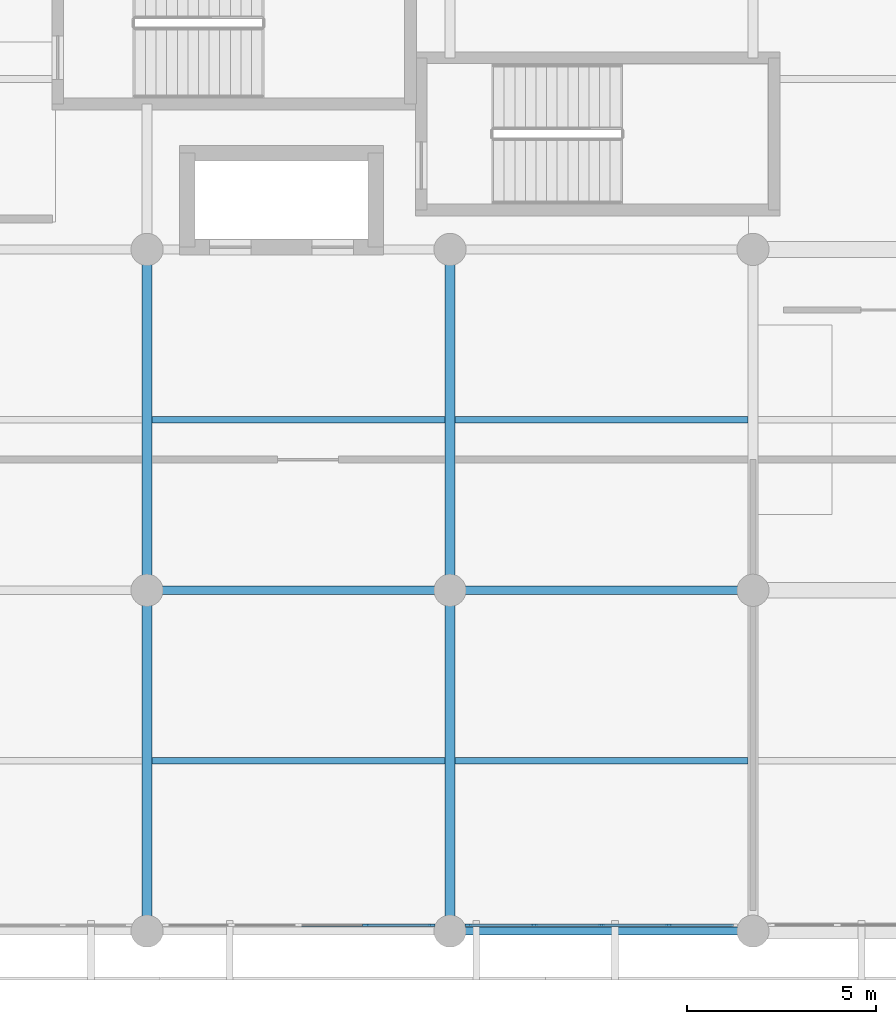
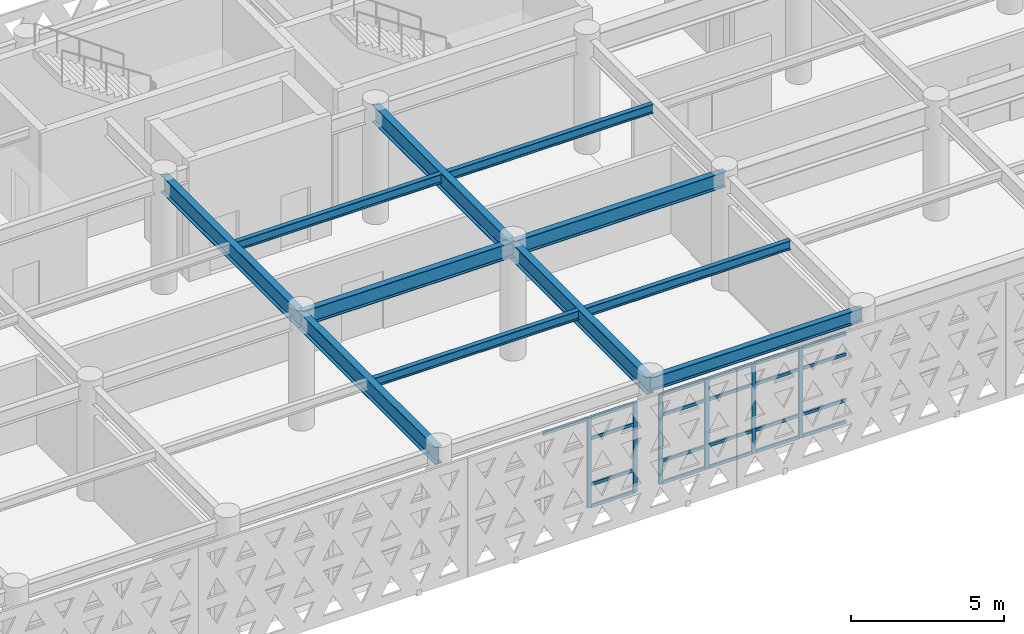
# One storey, part 15 of 54: 27 members, 11 beams, 2 elements without a shape of their own.
"""IFC4 building model written with IfcOpenShell, lengths in metres."""

from ifc_helpers import new_model, si_unit, direction, frame, origin, origin_2d, place, context, subcontext, project, spatial, rectangle, i_section, extrude, material, layer, layer_set, material_profile, profile_set, type_object, element, aggregate, save


model = new_model("IFC4")

# Units and contexts
model_context = context("Model", 3, precision=1e-05, world=origin(), true_north=direction((0.0, 1.0)))
body_context = subcontext(model_context, "Body", "Model", "MODEL_VIEW")
ifc_project = project(units=[si_unit("LENGTHUNIT", "METRE"), si_unit("AREAUNIT", "SQUARE_METRE"), si_unit("VOLUMEUNIT", "CUBIC_METRE"), si_unit("PLANEANGLEUNIT", "RADIAN"), si_unit("MASSUNIT", "GRAM", prefix="KILO")], contexts=[model_context])

# Site, building, storey
site_placement = place(None, origin())
site = spatial("IfcSite", under=ifc_project, at=site_placement, CompositionType="ELEMENT")
building_placement = place(site_placement, origin())
building = spatial("IfcBuilding", under=site, at=building_placement, Name="Tlacozan Convention Centre", CompositionType="ELEMENT")
storey_placement = place(building_placement, frame((0.0, 0.0, 11.39990234375)))
storey = spatial("IfcBuildingStorey", under=building, at=storey_placement, Name="L02", CompositionType="ELEMENT", Elevation=11.39990234375)

# Curtain wall, members
ifc_material_1 = material(Name="Dark Bronze Anodised Aluminium", Category="aluminium")
ifc_layer = layer(ifc_material_1, 0.159912109375)
ifc_layer_set = layer_set([ifc_layer], Name="Dark Bronze Anodised Aluminium")
curtain_wall_type = type_object("IfcCurtainWallType", Name="Unitised Congress L02 South CW03", PredefinedType="NOTDEFINED", material=ifc_layer_set)
curtain_wall_1_placement = place(storey_placement, origin())
curtain_wall_1 = element("IfcCurtainWall", 1, at=curtain_wall_1_placement, inside=storey, type_object=curtain_wall_type, Name="L02 CW-03 Run 88", PredefinedType="NOTDEFINED")
ifc_material_profile_1 = material_profile(ifc_material_1, rectangle(XDim=0.06494140625, YDim=0.159912109375, at=origin_2d()), Name="ALU 65x160")
ifc_profile_set_1 = profile_set([ifc_material_profile_1], Name="Dark Bronze Anodised Aluminium")
member_type_1 = type_object("IfcMemberType", Name="Curtain Wall Mullion 65x160", PredefinedType="MULLION", material=ifc_profile_set_1)
member_1_placement = place(storey_placement, frame((85.77490234375, 0.159912109375, 0.0), z_axis=(0.0, 0.0, 1.0), x_axis=(0.0, 1.0, 0.0)))
member_1 = element("IfcMember", 2, at=member_1_placement, type_object=member_type_1, Name="CW-03 mullion 4", PredefinedType="MULLION", context=body_context, shape_type="SweptSolid", body=[
    extrude(rectangle(XDim=0.06494140625, YDim=0.159912109375, at=origin_2d()), origin(), (0.0, 0.0, 1.0), 3.590087890625),
])
member_2_placement = place(storey_placement, frame((87.517578125, 0.159912109375, 0.0), z_axis=(0.0, 0.0, 1.0), x_axis=(0.0, 1.0, 0.0)))
member_2 = element("IfcMember", 3, at=member_2_placement, type_object=member_type_1, Name="CW-03 mullion 5", PredefinedType="MULLION", context=body_context, shape_type="SweptSolid", body=[
    extrude(rectangle(XDim=0.06494140625, YDim=0.159912109375, at=origin_2d()), origin(), (0.0, 0.0, 1.0), 3.590087890625),
])

curtain_wall_2_placement = place(storey_placement, origin())
curtain_wall_2 = element("IfcCurtainWall", 4, at=curtain_wall_2_placement, inside=storey, type_object=curtain_wall_type, Name="L02 CW-03 Run 89", PredefinedType="NOTDEFINED")
member_3_placement = place(storey_placement, frame((88.482421875, 0.159912109375, 0.0), z_axis=(0.0, 0.0, 1.0), x_axis=(0.0, 1.0, 0.0)))
member_3 = element("IfcMember", 5, at=member_3_placement, type_object=member_type_1, Name="CW-03 mullion 1", PredefinedType="MULLION", context=body_context, shape_type="SweptSolid", body=[
    extrude(rectangle(XDim=0.06494140625, YDim=0.159912109375, at=origin_2d()), origin(), (0.0, 0.0, 1.0), 3.590087890625),
])
member_4_placement = place(storey_placement, frame((90.22509765625, 0.159912109375, 0.0), z_axis=(0.0, 0.0, 1.0), x_axis=(0.0, 1.0, 0.0)))
member_4 = element("IfcMember", 6, at=member_4_placement, type_object=member_type_1, Name="CW-03 mullion 2", PredefinedType="MULLION", context=body_context, shape_type="SweptSolid", body=[
    extrude(rectangle(XDim=0.06494140625, YDim=0.159912109375, at=origin_2d()), origin(), (0.0, 0.0, 1.0), 3.590087890625),
])
member_5_placement = place(storey_placement, frame((92.0, 0.159912109375, 0.0), z_axis=(0.0, 0.0, 1.0), x_axis=(0.0, 1.0, 0.0)))
member_5 = element("IfcMember", 7, at=member_5_placement, type_object=member_type_1, Name="CW-03 mullion 3", PredefinedType="MULLION", context=body_context, shape_type="SweptSolid", body=[
    extrude(rectangle(XDim=0.06494140625, YDim=0.159912109375, at=origin_2d()), origin(), (0.0, 0.0, 1.0), 3.590087890625),
])
member_6_placement = place(storey_placement, frame((93.77490234375, 0.159912109375, 0.0), z_axis=(0.0, 0.0, 1.0), x_axis=(0.0, 1.0, 0.0)))
member_6 = element("IfcMember", 8, at=member_6_placement, type_object=member_type_1, Name="CW-03 mullion 4", PredefinedType="MULLION", context=body_context, shape_type="SweptSolid", body=[
    extrude(rectangle(XDim=0.06494140625, YDim=0.159912109375, at=origin_2d()), origin(), (0.0, 0.0, 1.0), 3.590087890625),
])

# Member
ifc_material_profile_2 = material_profile(ifc_material_1, rectangle(XDim=0.06494140625, YDim=0.125, at=origin_2d()), Name="ALU 65x125")
ifc_profile_set_2 = profile_set([ifc_material_profile_2], Name="Dark Bronze Anodised Aluminium")
member_type_2 = type_object("IfcMemberType", Name="Curtain Wall Transom 65x125", PredefinedType="USERDEFINED", material=ifc_profile_set_2)
member_7_placement = place(storey_placement, frame((84.032470703125, 0.159912109375, 3.5576171875), z_axis=(1.0, 0.0, 0.0), x_axis=(0.0, 1.0, 0.0)))
member_7 = element("IfcMember", 9, at=member_7_placement, type_object=member_type_2, Name="CW-03 transom 3.4", ObjectType="TRANSOM", PredefinedType="USERDEFINED", context=body_context, shape_type="SweptSolid", body=[
    extrude(rectangle(XDim=0.06494140625, YDim=0.125, at=origin_2d()), origin(), (0.0, 0.0, 1.0), 1.7099609375),
])

member_8_placement = place(storey_placement, frame((85.8076171875, 0.159912109375, 0.03271484375), z_axis=(1.0, 0.0, 0.0), x_axis=(0.0, 1.0, 0.0)))
member_8 = element("IfcMember", 10, at=member_8_placement, type_object=member_type_2, Name="CW-03 transom 4.1", ObjectType="TRANSOM", PredefinedType="USERDEFINED", context=body_context, shape_type="SweptSolid", body=[
    extrude(rectangle(XDim=0.06494140625, YDim=0.125, at=origin_2d()), origin(), (0.0, 0.0, 1.0), 1.677490234375),
])

member_9_placement = place(storey_placement, frame((85.8076171875, 0.159912109375, 0.900146484375), z_axis=(1.0, 0.0, 0.0), x_axis=(0.0, 1.0, 0.0)))
member_9 = element("IfcMember", 11, at=member_9_placement, type_object=member_type_2, Name="CW-03 transom 4.2", ObjectType="TRANSOM", PredefinedType="USERDEFINED", context=body_context, shape_type="SweptSolid", body=[
    extrude(rectangle(XDim=0.06494140625, YDim=0.125, at=origin_2d()), origin(), (0.0, 0.0, 1.0), 1.677490234375),
])

member_10_placement = place(storey_placement, frame((85.8076171875, 0.159912109375, 2.739990234375), z_axis=(1.0, 0.0, 0.0), x_axis=(0.0, 1.0, 0.0)))
member_10 = element("IfcMember", 12, at=member_10_placement, type_object=member_type_2, Name="CW-03 transom 4.3", ObjectType="TRANSOM", PredefinedType="USERDEFINED", context=body_context, shape_type="SweptSolid", body=[
    extrude(rectangle(XDim=0.06494140625, YDim=0.125, at=origin_2d()), origin(), (0.0, 0.0, 1.0), 1.677490234375),
])

member_11_placement = place(storey_placement, frame((85.8076171875, 0.159912109375, 3.5576171875), z_axis=(1.0, 0.0, 0.0), x_axis=(0.0, 1.0, 0.0)))
member_11 = element("IfcMember", 13, at=member_11_placement, type_object=member_type_2, Name="CW-03 transom 4.4", ObjectType="TRANSOM", PredefinedType="USERDEFINED", context=body_context, shape_type="SweptSolid", body=[
    extrude(rectangle(XDim=0.06494140625, YDim=0.125, at=origin_2d()), origin(), (0.0, 0.0, 1.0), 1.677490234375),
])

aggregate(curtain_wall_1, [member_1, member_2, member_7, member_8, member_9, member_10, member_11])

member_12_placement = place(storey_placement, frame((88.514892578125, 0.159912109375, 0.03271484375), z_axis=(1.0, 0.0, 0.0), x_axis=(0.0, 1.0, 0.0)))
member_12 = element("IfcMember", 14, at=member_12_placement, type_object=member_type_2, Name="CW-03 transom 1.1", ObjectType="TRANSOM", PredefinedType="USERDEFINED", context=body_context, shape_type="SweptSolid", body=[
    extrude(rectangle(XDim=0.06494140625, YDim=0.125, at=origin_2d()), origin(), (0.0, 0.0, 1.0), 1.677490234375),
])

member_13_placement = place(storey_placement, frame((88.514892578125, 0.159912109375, 0.900146484375), z_axis=(1.0, 0.0, 0.0), x_axis=(0.0, 1.0, 0.0)))
member_13 = element("IfcMember", 15, at=member_13_placement, type_object=member_type_2, Name="CW-03 transom 1.2", ObjectType="TRANSOM", PredefinedType="USERDEFINED", context=body_context, shape_type="SweptSolid", body=[
    extrude(rectangle(XDim=0.06494140625, YDim=0.125, at=origin_2d()), origin(), (0.0, 0.0, 1.0), 1.677490234375),
])

member_14_placement = place(storey_placement, frame((88.514892578125, 0.159912109375, 2.739990234375), z_axis=(1.0, 0.0, 0.0), x_axis=(0.0, 1.0, 0.0)))
member_14 = element("IfcMember", 16, at=member_14_placement, type_object=member_type_2, Name="CW-03 transom 1.3", ObjectType="TRANSOM", PredefinedType="USERDEFINED", context=body_context, shape_type="SweptSolid", body=[
    extrude(rectangle(XDim=0.06494140625, YDim=0.125, at=origin_2d()), origin(), (0.0, 0.0, 1.0), 1.677490234375),
])

member_15_placement = place(storey_placement, frame((88.514892578125, 0.159912109375, 3.5576171875), z_axis=(1.0, 0.0, 0.0), x_axis=(0.0, 1.0, 0.0)))
member_15 = element("IfcMember", 17, at=member_15_placement, type_object=member_type_2, Name="CW-03 transom 1.4", ObjectType="TRANSOM", PredefinedType="USERDEFINED", context=body_context, shape_type="SweptSolid", body=[
    extrude(rectangle(XDim=0.06494140625, YDim=0.125, at=origin_2d()), origin(), (0.0, 0.0, 1.0), 1.677490234375),
])

member_16_placement = place(storey_placement, frame((90.257568359375, 0.159912109375, 0.03271484375), z_axis=(1.0, 0.0, 0.0), x_axis=(0.0, 1.0, 0.0)))
member_16 = element("IfcMember", 18, at=member_16_placement, type_object=member_type_2, Name="CW-03 transom 2.1", ObjectType="TRANSOM", PredefinedType="USERDEFINED", context=body_context, shape_type="SweptSolid", body=[
    extrude(rectangle(XDim=0.06494140625, YDim=0.125, at=origin_2d()), origin(), (0.0, 0.0, 1.0), 1.7099609375),
])

member_17_placement = place(storey_placement, frame((90.257568359375, 0.159912109375, 0.900146484375), z_axis=(1.0, 0.0, 0.0), x_axis=(0.0, 1.0, 0.0)))
member_17 = element("IfcMember", 19, at=member_17_placement, type_object=member_type_2, Name="CW-03 transom 2.2", ObjectType="TRANSOM", PredefinedType="USERDEFINED", context=body_context, shape_type="SweptSolid", body=[
    extrude(rectangle(XDim=0.06494140625, YDim=0.125, at=origin_2d()), origin(), (0.0, 0.0, 1.0), 1.7099609375),
])

member_18_placement = place(storey_placement, frame((90.257568359375, 0.159912109375, 2.739990234375), z_axis=(1.0, 0.0, 0.0), x_axis=(0.0, 1.0, 0.0)))
member_18 = element("IfcMember", 20, at=member_18_placement, type_object=member_type_2, Name="CW-03 transom 2.3", ObjectType="TRANSOM", PredefinedType="USERDEFINED", context=body_context, shape_type="SweptSolid", body=[
    extrude(rectangle(XDim=0.06494140625, YDim=0.125, at=origin_2d()), origin(), (0.0, 0.0, 1.0), 1.7099609375),
])

member_19_placement = place(storey_placement, frame((90.257568359375, 0.159912109375, 3.5576171875), z_axis=(1.0, 0.0, 0.0), x_axis=(0.0, 1.0, 0.0)))
member_19 = element("IfcMember", 21, at=member_19_placement, type_object=member_type_2, Name="CW-03 transom 2.4", ObjectType="TRANSOM", PredefinedType="USERDEFINED", context=body_context, shape_type="SweptSolid", body=[
    extrude(rectangle(XDim=0.06494140625, YDim=0.125, at=origin_2d()), origin(), (0.0, 0.0, 1.0), 1.7099609375),
])

member_20_placement = place(storey_placement, frame((92.032470703125, 0.159912109375, 0.03271484375), z_axis=(1.0, 0.0, 0.0), x_axis=(0.0, 1.0, 0.0)))
member_20 = element("IfcMember", 22, at=member_20_placement, type_object=member_type_2, Name="CW-03 transom 3.1", ObjectType="TRANSOM", PredefinedType="USERDEFINED", context=body_context, shape_type="SweptSolid", body=[
    extrude(rectangle(XDim=0.06494140625, YDim=0.125, at=origin_2d()), origin(), (0.0, 0.0, 1.0), 1.7099609375),
])

member_21_placement = place(storey_placement, frame((92.032470703125, 0.159912109375, 0.900146484375), z_axis=(1.0, 0.0, 0.0), x_axis=(0.0, 1.0, 0.0)))
member_21 = element("IfcMember", 23, at=member_21_placement, type_object=member_type_2, Name="CW-03 transom 3.2", ObjectType="TRANSOM", PredefinedType="USERDEFINED", context=body_context, shape_type="SweptSolid", body=[
    extrude(rectangle(XDim=0.06494140625, YDim=0.125, at=origin_2d()), origin(), (0.0, 0.0, 1.0), 1.7099609375),
])

member_22_placement = place(storey_placement, frame((92.032470703125, 0.159912109375, 2.739990234375), z_axis=(1.0, 0.0, 0.0), x_axis=(0.0, 1.0, 0.0)))
member_22 = element("IfcMember", 24, at=member_22_placement, type_object=member_type_2, Name="CW-03 transom 3.3", ObjectType="TRANSOM", PredefinedType="USERDEFINED", context=body_context, shape_type="SweptSolid", body=[
    extrude(rectangle(XDim=0.06494140625, YDim=0.125, at=origin_2d()), origin(), (0.0, 0.0, 1.0), 1.7099609375),
])

member_23_placement = place(storey_placement, frame((92.032470703125, 0.159912109375, 3.5576171875), z_axis=(1.0, 0.0, 0.0), x_axis=(0.0, 1.0, 0.0)))
member_23 = element("IfcMember", 25, at=member_23_placement, type_object=member_type_2, Name="CW-03 transom 3.4", ObjectType="TRANSOM", PredefinedType="USERDEFINED", context=body_context, shape_type="SweptSolid", body=[
    extrude(rectangle(XDim=0.06494140625, YDim=0.125, at=origin_2d()), origin(), (0.0, 0.0, 1.0), 1.7099609375),
])

member_24_placement = place(storey_placement, frame((93.8076171875, 0.159912109375, 0.03271484375), z_axis=(1.0, 0.0, 0.0), x_axis=(0.0, 1.0, 0.0)))
member_24 = element("IfcMember", 26, at=member_24_placement, type_object=member_type_2, Name="CW-03 transom 4.1", ObjectType="TRANSOM", PredefinedType="USERDEFINED", context=body_context, shape_type="SweptSolid", body=[
    extrude(rectangle(XDim=0.06494140625, YDim=0.125, at=origin_2d()), origin(), (0.0, 0.0, 1.0), 1.677490234375),
])

member_25_placement = place(storey_placement, frame((93.8076171875, 0.159912109375, 0.900146484375), z_axis=(1.0, 0.0, 0.0), x_axis=(0.0, 1.0, 0.0)))
member_25 = element("IfcMember", 27, at=member_25_placement, type_object=member_type_2, Name="CW-03 transom 4.2", ObjectType="TRANSOM", PredefinedType="USERDEFINED", context=body_context, shape_type="SweptSolid", body=[
    extrude(rectangle(XDim=0.06494140625, YDim=0.125, at=origin_2d()), origin(), (0.0, 0.0, 1.0), 1.677490234375),
])

member_26_placement = place(storey_placement, frame((93.8076171875, 0.159912109375, 2.739990234375), z_axis=(1.0, 0.0, 0.0), x_axis=(0.0, 1.0, 0.0)))
member_26 = element("IfcMember", 28, at=member_26_placement, type_object=member_type_2, Name="CW-03 transom 4.3", ObjectType="TRANSOM", PredefinedType="USERDEFINED", context=body_context, shape_type="SweptSolid", body=[
    extrude(rectangle(XDim=0.06494140625, YDim=0.125, at=origin_2d()), origin(), (0.0, 0.0, 1.0), 1.677490234375),
])

member_27_placement = place(storey_placement, frame((93.8076171875, 0.159912109375, 3.5576171875), z_axis=(1.0, 0.0, 0.0), x_axis=(0.0, 1.0, 0.0)))
member_27 = element("IfcMember", 29, at=member_27_placement, type_object=member_type_2, Name="CW-03 transom 4.4", ObjectType="TRANSOM", PredefinedType="USERDEFINED", context=body_context, shape_type="SweptSolid", body=[
    extrude(rectangle(XDim=0.06494140625, YDim=0.125, at=origin_2d()), origin(), (0.0, 0.0, 1.0), 1.677490234375),
])

aggregate(curtain_wall_2, [member_3, member_4, member_5, member_6, member_12, member_13, member_14, member_15, member_16, member_17, member_18, member_19, member_20, member_21, member_22, member_23, member_24, member_25, member_26, member_27])

# Beams
ifc_material_2 = material(Name="Steel ASTM A992 Grade 50", Category="steel")
ifc_material_profile_3 = material_profile(ifc_material_2, i_section(OverallWidth=0.22900390625, OverallDepth=0.612060546875, WebThickness=0.011962890625, FlangeThickness=0.01953125, FilletRadius=0.012939453125, at=origin_2d()), Name="IR 610x125.0")
ifc_profile_set_3 = profile_set([ifc_material_profile_3], Name="Steel ASTM A992 Grade 50")
beam_type_1 = type_object("IfcBeamType", Name="Floor Beam IR 610x125", PredefinedType="BEAM", material=ifc_profile_set_3)
for number, where, z_axis, x_axis, name in (
    (30, (80.0, 9.0, 4.244140625), (1.0, 0.0, 0.0), (0.0, 1.0, 0.0), "L02 Floor Beam IR 610x125 493"),
    (31, (88.0, 9.0, 4.244140625), (1.0, 0.0, 0.0), (0.0, 1.0, 0.0), "L02 Floor Beam IR 610x125 497"),
):
    element("IfcBeam", number, at=place(storey_placement, frame(where, z_axis=z_axis, x_axis=x_axis)), inside=storey, type_object=beam_type_1, Name=name, PredefinedType="BEAM", context=body_context, shape_type="SweptSolid", body=[
        extrude(i_section(OverallWidth=0.22900390625, OverallDepth=0.612060546875, WebThickness=0.011962890625, FlangeThickness=0.01953125, FilletRadius=0.012939453125, at=origin_2d()), origin(), (0.0, 0.0, 1.0), 8.0),
    ])
ifc_material_profile_4 = material_profile(ifc_material_2, i_section(OverallWidth=0.256103515625, OverallDepth=0.693115234375, WebThickness=0.014404296875, FlangeThickness=0.023681640625, FilletRadius=0.014892578125, at=origin_2d()), Name="IR 686x170.0")
ifc_profile_set_4 = profile_set([ifc_material_profile_4], Name="Steel ASTM A992 Grade 50")
beam_type_2 = type_object("IfcBeamType", Name="Girder Steel IR 686x170", PredefinedType="BEAM", material=ifc_profile_set_4)
for number, where, z_axis, x_axis, name in (
    (32, (80.0, 0.0, 4.20361328125), (0.0, 1.0, 0.0), (-1.0, 0.0, 0.0), "L02 Girder Steel IR 686x170 427"),
    (33, (80.0, 9.0, 4.20361328125), (0.0, 1.0, 0.0), (-1.0, 0.0, 0.0), "L02 Girder Steel IR 686x170 428"),
    (34, (88.0, 0.0, 4.20361328125), (0.0, 1.0, 0.0), (-1.0, 0.0, 0.0), "L02 Girder Steel IR 686x170 430"),
    (35, (88.0, 9.0, 4.20361328125), (0.0, 1.0, 0.0), (-1.0, 0.0, 0.0), "L02 Girder Steel IR 686x170 431"),
):
    element("IfcBeam", number, at=place(storey_placement, frame(where, z_axis=z_axis, x_axis=x_axis)), inside=storey, type_object=beam_type_2, Name=name, PredefinedType="BEAM", context=body_context, shape_type="SweptSolid", body=[
        extrude(i_section(OverallWidth=0.256103515625, OverallDepth=0.693115234375, WebThickness=0.014404296875, FlangeThickness=0.023681640625, FilletRadius=0.014892578125, at=origin_2d()), origin(), (0.0, 0.0, 1.0), 9.0),
    ])
ifc_material_profile_5 = material_profile(ifc_material_2, i_section(OverallWidth=0.2109375, OverallDepth=0.5390625, WebThickness=0.01171875, FlangeThickness=0.018798828125, FilletRadius=0.012939453125, at=origin_2d()), Name="IR 533x109.0")
ifc_profile_set_5 = profile_set([ifc_material_profile_5], Name="Steel ASTM A992 Grade 50")
beam_type_3 = type_object("IfcBeamType", Name="Perimeter Spandrel IR 533x109", PredefinedType="SPANDREL", material=ifc_profile_set_5)
beam_placement = place(storey_placement, frame((88.0, 0.0, 4.280517578125), z_axis=(1.0, 0.0, 0.0), x_axis=(0.0, 1.0, 0.0)))
element("IfcBeam", 36, at=beam_placement, inside=storey, type_object=beam_type_3, Name="L02 Perimeter Spandrel IR 533x109 496", PredefinedType="SPANDREL", context=body_context, shape_type="SweptSolid", body=[
    extrude(i_section(OverallWidth=0.2109375, OverallDepth=0.5390625, WebThickness=0.01171875, FlangeThickness=0.018798828125, FilletRadius=0.012939453125, at=origin_2d()), origin(), (0.0, 0.0, 1.0), 8.0),
])
ifc_material_profile_6 = material_profile(ifc_material_2, i_section(OverallWidth=0.173095703125, OverallDepth=0.364013671875, WebThickness=0.009033203125, FlangeThickness=0.015625, FilletRadius=0.010009765625, at=origin_2d()), Name="IR 356x67.1")
ifc_profile_set_6 = profile_set([ifc_material_profile_6], Name="Steel ASTM A992 Grade 50")
beam_type_4 = type_object("IfcBeamType", Name="Secondary Joist IR 356x67.1", PredefinedType="JOIST", material=ifc_profile_set_6)
for number, where, z_axis, x_axis, name in (
    (37, (80.1259765625, 4.5, 4.3681640625), (1.0, 0.0, 0.0), (0.0, 1.0, 0.0), "L02 Secondary Joist IR 356x67.1 525"),
    (38, (80.1259765625, 13.5, 4.3681640625), (1.0, 0.0, 0.0), (0.0, 1.0, 0.0), "L02 Secondary Joist IR 356x67.1 526"),
    (39, (88.1259765625, 4.5, 4.3681640625), (1.0, 0.0, 0.0), (0.0, 1.0, 0.0), "L02 Secondary Joist IR 356x67.1 527"),
    (40, (88.1259765625, 13.5, 4.3681640625), (1.0, 0.0, 0.0), (0.0, 1.0, 0.0), "L02 Secondary Joist IR 356x67.1 528"),
):
    element("IfcBeam", number, at=place(storey_placement, frame(where, z_axis=z_axis, x_axis=x_axis)), inside=storey, type_object=beam_type_4, Name=name, PredefinedType="JOIST", context=body_context, shape_type="SweptSolid", body=[
        extrude(i_section(OverallWidth=0.173095703125, OverallDepth=0.364013671875, WebThickness=0.009033203125, FlangeThickness=0.015625, FilletRadius=0.010009765625, at=origin_2d()), origin(), (0.0, 0.0, 1.0), 7.748046875),
    ])

save(model, "model.ifc")
